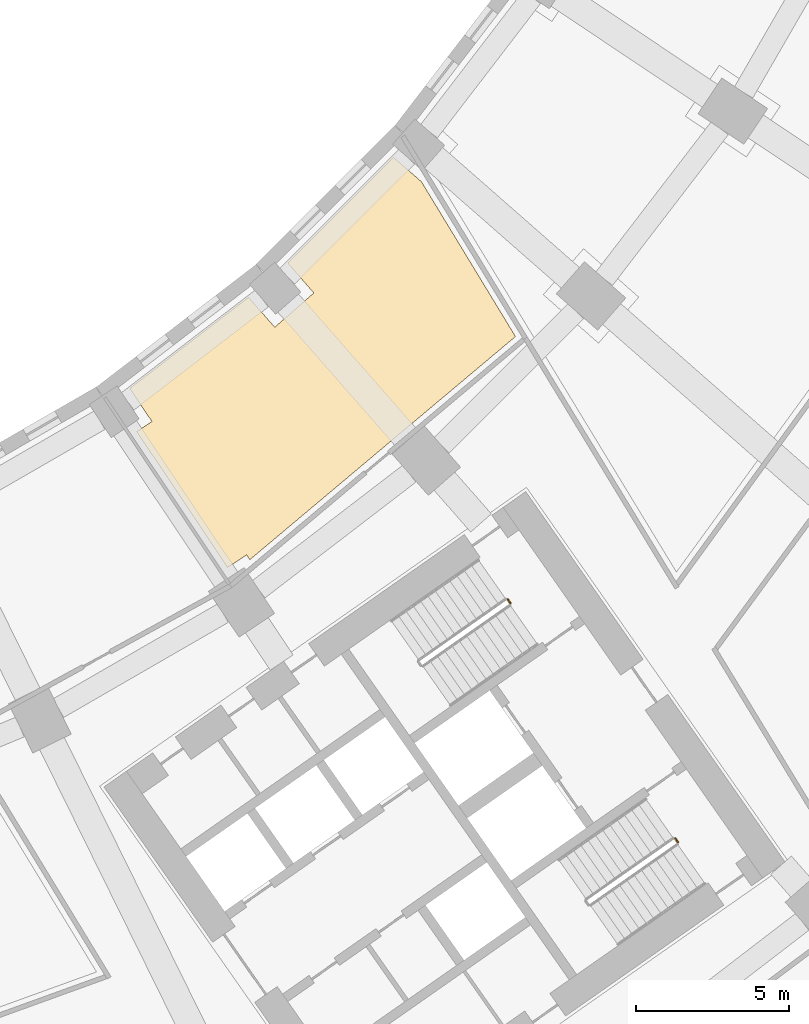
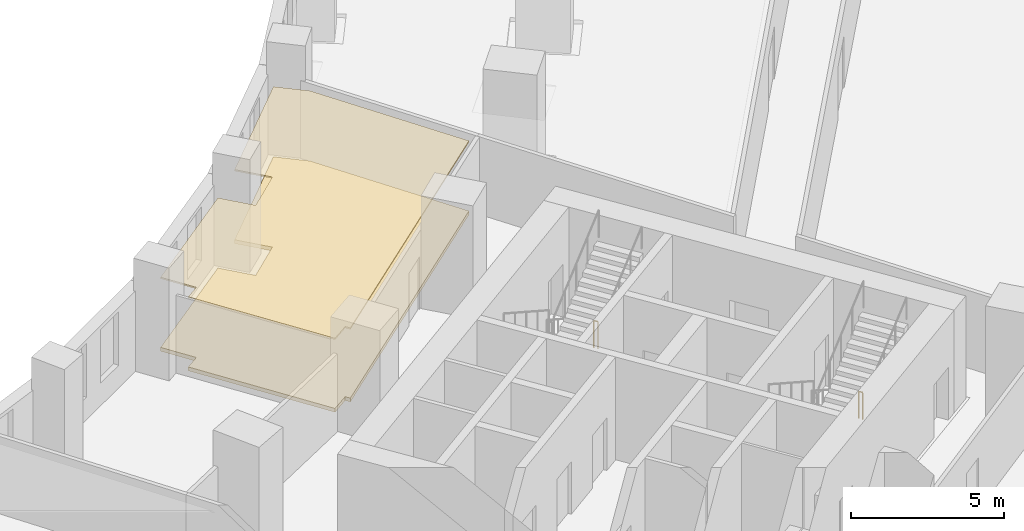
# One storey, part 19 of 20: 2 coverings, 2 railings.
"""IFC4 building model written with IfcOpenShell, lengths in metres."""

from ifc_helpers import new_model, si_unit, direction, frame, origin, origin_2d, place, context, subcontext, project, spatial, polyline, circle, outline, extrude, material, layer, layer_set, type_object, element, save


model = new_model("IFC4")

# Units and contexts
model_context = context("Model", 3, precision=1e-05, world=origin(), true_north=direction((0.0, 1.0)))
body_context = subcontext(model_context, "Body", "Model", "MODEL_VIEW")
ifc_project = project(units=[si_unit("LENGTHUNIT", "METRE"), si_unit("AREAUNIT", "SQUARE_METRE"), si_unit("VOLUMEUNIT", "CUBIC_METRE"), si_unit("PLANEANGLEUNIT", "RADIAN"), si_unit("MASSUNIT", "GRAM", prefix="KILO")], contexts=[model_context])

# Site, building, storey
site_placement = place(None, origin())
site = spatial("IfcSite", under=ifc_project, at=site_placement, CompositionType="ELEMENT")
building_placement = place(site_placement, origin())
building = spatial("IfcBuilding", under=site, at=building_placement, Name="Qamariyya Broadcast Tower", CompositionType="ELEMENT")
storey_placement = place(building_placement, frame((0.0, 0.0, 31.5)))
storey = spatial("IfcBuildingStorey", under=building, at=storey_placement, Name="L04", CompositionType="ELEMENT", Elevation=31.5)

# Covering
ifc_material_1 = material(Name="Raised access floor")
ifc_layer_1 = layer(ifc_material_1, 0.14990234375)
ifc_layer_set_1 = layer_set([ifc_layer_1], Name="Raised access floor 150")
covering_type_1 = type_object("IfcCoveringType", Name="Raised access floor 150", PredefinedType="FLOORING", material=ifc_layer_set_1)
covering_1_placement = place(storey_placement, origin())
element("IfcCovering", 1, at=covering_1_placement, inside=storey, type_object=covering_type_1, Name="Flooring L04-F10", PredefinedType="FLOORING", context=body_context, shape_type="SweptSolid", body=[
    extrude(outline(polyline([(32.52685546875, -46.8798828125), (31.903076171875, -47.29638671875), (28.930908203125, -42.84814453125), (29.4296875, -42.5146484375), (28.705078125, -41.430419921875), (32.589111328125, -38.449951171875), (33.44921875, -39.4306640625), (34.727294921875, -38.3095703125), (33.867431640625, -37.3291015625), (37.3291015625, -33.867431640625), (38.247802734375, -34.6728515625), (41.3232421875, -39.73583984375), (32.63134765625, -47.036376953125), (32.52685546875, -46.8798828125)])), origin(), (0.0, 0.0, 1.0), 0.14990234375),
])

# Railings
ifc_material_2 = material(Name="Painted steel", Category="steel")
railing_type = type_object("IfcRailingType", Name="Stair guard", PredefinedType="GUARDRAIL", material=ifc_material_2)
railing_1_placement = place(storey_placement, frame((41.072998046875, -48.332275390625, 0.0)))
element("IfcRailing", 2, at=railing_1_placement, inside=storey, type_object=railing_type, Name="L04 ST-E2 stair guard 3", PredefinedType="GUARDRAIL", context=body_context, shape_type="SweptSolid", body=[
    extrude(circle(Radius=0.02392578125, at=origin_2d()), frame((0.0, 0.0, 1.076171875), z_axis=(0.572588637393, -0.819842821722, 0.0), x_axis=(0.819842821722, 0.572588637393, 0.0)), (0.0, 0.0, 1.0), 0.150146484375),
    extrude(circle(Radius=0.02099609375, at=origin_2d()), origin(), (0.0, 0.0, 1.0), 1.052001953125),
    extrude(circle(Radius=0.02099609375, at=origin_2d()), frame((0.0859375, -0.123046875, 0.0)), (0.0, 0.0, 1.0), 1.052001953125),
])
railing_2_placement = place(storey_placement, frame((46.550537109375, -56.1552734375, 0.0)))
element("IfcRailing", 3, at=railing_2_placement, inside=storey, type_object=railing_type, Name="L04 ST-E1 stair guard 3", PredefinedType="GUARDRAIL", context=body_context, shape_type="SweptSolid", body=[
    extrude(circle(Radius=0.02392578125, at=origin_2d()), frame((0.0, 0.0, 1.076171875), z_axis=(0.574444878118, -0.818543268254, 0.0), x_axis=(0.818543268254, 0.574444878118, 0.0)), (0.0, 0.0, 1.0), 0.150146484375),
    extrude(circle(Radius=0.02099609375, at=origin_2d()), origin(), (0.0, 0.0, 1.0), 1.052001953125),
    extrude(circle(Radius=0.02099609375, at=origin_2d()), frame((0.086181640625, -0.122802734375, 0.0)), (0.0, 0.0, 1.0), 1.052001953125),
])

# Covering
ifc_material_3 = material(Name="Perforated plasterboard ceiling")
ifc_layer_2 = layer(ifc_material_3, 0.06005859375)
ifc_layer_set_2 = layer_set([ifc_layer_2], Name="Suspended acoustic ceiling 60")
covering_type_2 = type_object("IfcCoveringType", Name="Suspended acoustic ceiling 60", PredefinedType="CEILING", material=ifc_layer_set_2)
covering_2_placement = place(storey_placement, frame((0.0, 0.0, 2.889892578125)))
element("IfcCovering", 4, at=covering_2_placement, inside=storey, type_object=covering_type_2, Name="Ceiling L04-C13", PredefinedType="CEILING", context=body_context, shape_type="SweptSolid", body=[
    extrude(outline(polyline([(32.52685546875, -46.8798828125), (31.903076171875, -47.29638671875), (28.930908203125, -42.84814453125), (29.4296875, -42.5146484375), (28.705078125, -41.430419921875), (32.589111328125, -38.449951171875), (33.44921875, -39.4306640625), (34.727294921875, -38.3095703125), (33.867431640625, -37.3291015625), (37.3291015625, -33.867431640625), (38.247802734375, -34.6728515625), (41.3232421875, -39.73583984375), (32.63134765625, -47.036376953125), (32.52685546875, -46.8798828125)])), origin(), (0.0, 0.0, 1.0), 0.06005859375),
])

save(model, "model.ifc")
